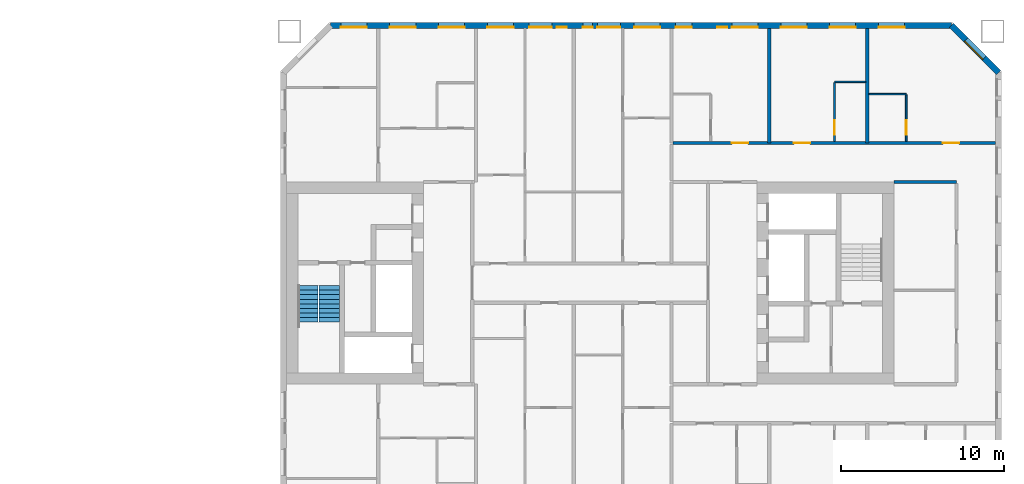
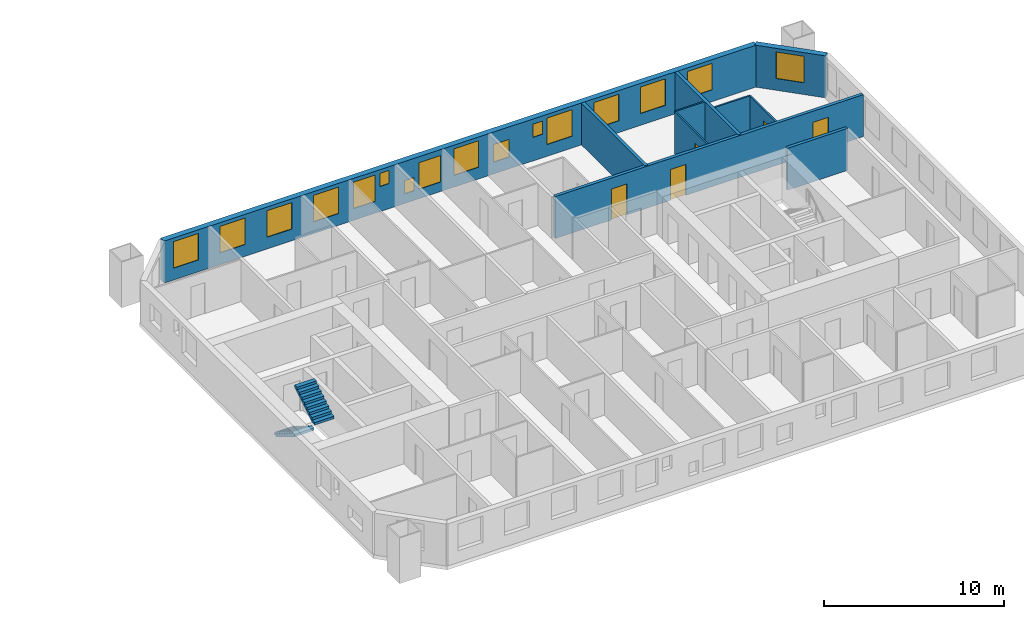
# One storey, part 14 of 17: 16 windows, 10 walls, 5 doors, 2 stair flights, 21 openings, 1 element without a shape of its own.
"""IFC4 building model written with IfcOpenShell, lengths in metres."""

from ifc_helpers import new_model, si_unit, direction, frame, frame_2d, origin, place, context, subcontext, project, spatial, polyline, rectangle, outline, extrude, material, layer, layer_set, type_object, element, fill, aggregate, save


model = new_model("IFC4")

# Units and contexts
model_context = context("Model", 3, precision=1e-05, world=origin(), true_north=direction((0.0, 1.0)))
body_context = subcontext(model_context, "Body", "Model", "MODEL_VIEW")
ifc_project = project(units=[si_unit("LENGTHUNIT", "METRE"), si_unit("AREAUNIT", "SQUARE_METRE"), si_unit("VOLUMEUNIT", "CUBIC_METRE"), si_unit("PLANEANGLEUNIT", "RADIAN"), si_unit("MASSUNIT", "GRAM", prefix="KILO")], contexts=[model_context])

# Site, building, storey
site_placement = place(None, origin())
site = spatial("IfcSite", under=ifc_project, at=site_placement, CompositionType="ELEMENT")
building_placement = place(site_placement, origin())
building = spatial("IfcBuilding", under=site, at=building_placement, Name="Tuart Gate Housing", CompositionType="ELEMENT")
storey_placement = place(building_placement, frame((0.0, 0.0, 84.0)))
storey = spatial("IfcBuildingStorey", under=building, at=storey_placement, Name="L23", CompositionType="ELEMENT", Elevation=84.0)

# Wall, opening, window
ifc_material_1 = material(Name="Brick", Category="masonry")
ifc_layer_1 = layer(ifc_material_1, 0.360107421875)
ifc_layer_set_1 = layer_set([ifc_layer_1], Name="Brick pier and spandrel wall 360")
wall_type_1 = type_object("IfcWallType", Name="Brick pier and spandrel wall 360", PredefinedType="STANDARD", material=ifc_layer_set_1)
wall_1_placement = place(storey_placement, frame((175.070068359375, 82.92529296875, 0.0), z_axis=(0.0, 0.0, 1.0), x_axis=(-0.707106781187, 0.707106781187, 0.0)))
wall_1 = element("IfcWall", 1, at=wall_1_placement, inside=storey, type_object=wall_type_1, Name="External wall B-NE L23", PredefinedType="STANDARD", context=body_context, shape_type="SweptSolid", body=[
    extrude(rectangle(XDim=4.09375, YDim=0.360107421875, at=frame_2d((2.046875, 0.0))), origin(), (0.0, 0.0, 1.0), 2.85009765625),
])
opening_1_placement = place(wall_1_placement, frame((1.2470703125, 0.0, 0.800048828125)))
opening_1 = element("IfcOpeningElement", 2, at=opening_1_placement, cuts=wall_1, Name="Opening W1", PredefinedType="OPENING", context=body_context, shape_type="SweptSolid", body=[
    extrude(rectangle(XDim=1.60009765625, YDim=1.800048828125, at=frame_2d((0.800048828125, 0.89990234375))), frame((0.0, 0.18994140625, 0.0), z_axis=(0.0, -1.0, 0.0), x_axis=(1.0, 0.0, 0.0)), (0.0, 0.0, 1.0), 0.380126953125),
])
ifc_material_2 = material(Name="Aluminium frame with clear glass", Category="aluminium")
window_type_1 = type_object("IfcWindowType", Name="Punched window 1600 x 1800", PartitioningType="SINGLE_PANEL", PredefinedType="WINDOW", material=ifc_material_2)
window_1_placement = place(opening_1_placement, origin())
window_1 = element("IfcWindow", 3, at=window_1_placement, inside=storey, type_object=window_type_1, Name="Window W1", OverallHeight=1.800048828125, OverallWidth=1.60009765625, PartitioningType="SINGLE_PANEL", PredefinedType="WINDOW", context=body_context, shape_type="SweptSolid", body=[
    extrude(rectangle(XDim=1.60009765625, YDim=1.800048828125, at=frame_2d((0.800048828125, 0.89990234375))), frame((0.0, 0.150146484375, 0.0), z_axis=(0.0, -1.0, 0.0), x_axis=(1.0, 0.0, 0.0)), (0.0, 0.0, 1.0), 0.06005859375),
])
fill(opening_1, window_1)

# Wall, openings, windows
wall_2_placement = place(storey_placement, frame((172.17529296875, 85.820068359375, 0.0), z_axis=(0.0, 0.0, 1.0), x_axis=(-1.0, 0.0, 0.0)))
wall_2 = element("IfcWall", 4, at=wall_2_placement, inside=storey, type_object=wall_type_1, Name="External wall B-N L23", PredefinedType="STANDARD", context=body_context, shape_type="SweptSolid", body=[
    extrude(rectangle(XDim=38.100830078125, YDim=0.360107421875, at=frame_2d((19.05029296875, 0.0))), origin(), (0.0, 0.0, 1.0), 2.85009765625),
])
opening_2_placement = place(wall_2_placement, frame((2.87548828125, 0.0, 0.800048828125)))
opening_2 = element("IfcOpeningElement", 5, at=opening_2_placement, cuts=wall_2, Name="Opening W1", PredefinedType="OPENING", context=body_context, shape_type="SweptSolid", body=[
    extrude(rectangle(XDim=1.60009765625, YDim=1.800048828125, at=frame_2d((0.800048828125, 0.89990234375))), frame((0.0, 0.18994140625, 0.0), z_axis=(0.0, -1.0, 0.0), x_axis=(1.0, 0.0, 0.0)), (0.0, 0.0, 1.0), 0.380126953125),
])
opening_3_placement = place(wall_2_placement, frame((5.87548828125, 0.0, 0.800048828125)))
opening_3 = element("IfcOpeningElement", 6, at=opening_3_placement, cuts=wall_2, Name="Opening W1", PredefinedType="OPENING", context=body_context, shape_type="SweptSolid", body=[
    extrude(rectangle(XDim=1.60009765625, YDim=1.800048828125, at=frame_2d((0.800048828125, 0.89990234375))), frame((0.0, 0.18994140625, 0.0), z_axis=(0.0, -1.0, 0.0), x_axis=(1.0, 0.0, 0.0)), (0.0, 0.0, 1.0), 0.380126953125),
])
opening_4_placement = place(wall_2_placement, frame((8.87548828125, 0.0, 0.800048828125)))
opening_4 = element("IfcOpeningElement", 7, at=opening_4_placement, cuts=wall_2, Name="Opening W1", PredefinedType="OPENING", context=body_context, shape_type="SweptSolid", body=[
    extrude(rectangle(XDim=1.60009765625, YDim=1.800048828125, at=frame_2d((0.800048828125, 0.89990234375))), frame((0.0, 0.18994140625, 0.0), z_axis=(0.0, -1.0, 0.0), x_axis=(1.0, 0.0, 0.0)), (0.0, 0.0, 1.0), 0.380126953125),
])
opening_5_placement = place(wall_2_placement, frame((11.87548828125, 0.0, 0.800048828125)))
opening_5 = element("IfcOpeningElement", 8, at=opening_5_placement, cuts=wall_2, Name="Opening W1", PredefinedType="OPENING", context=body_context, shape_type="SweptSolid", body=[
    extrude(rectangle(XDim=1.60009765625, YDim=1.800048828125, at=frame_2d((0.800048828125, 0.89990234375))), frame((0.0, 0.18994140625, 0.0), z_axis=(0.0, -1.0, 0.0), x_axis=(1.0, 0.0, 0.0)), (0.0, 0.0, 1.0), 0.380126953125),
])
opening_6_placement = place(wall_2_placement, frame((13.775390625, 0.0, 1.60009765625)))
opening_6 = element("IfcOpeningElement", 9, at=opening_6_placement, cuts=wall_2, Name="Opening W1W", PredefinedType="OPENING", context=body_context, shape_type="SweptSolid", body=[
    extrude(rectangle(XDim=0.60009765625, YDim=0.89990234375, at=frame_2d((0.300048828125, 0.449951171875))), frame((0.0, 0.18994140625, 0.0), z_axis=(0.0, -1.0, 0.0), x_axis=(1.0, 0.0, 0.0)), (0.0, 0.0, 1.0), 0.380126953125),
])
opening_7_placement = place(wall_2_placement, frame((17.87548828125, 0.0, 0.800048828125)))
opening_7 = element("IfcOpeningElement", 10, at=opening_7_placement, cuts=wall_2, Name="Opening W1", PredefinedType="OPENING", context=body_context, shape_type="SweptSolid", body=[
    extrude(rectangle(XDim=1.60009765625, YDim=1.800048828125, at=frame_2d((0.800048828125, 0.89990234375))), frame((0.0, 0.18994140625, 0.0), z_axis=(0.0, -1.0, 0.0), x_axis=(1.0, 0.0, 0.0)), (0.0, 0.0, 1.0), 0.380126953125),
])
opening_8_placement = place(wall_2_placement, frame((20.325439453125, 0.0, 0.64990234375)))
opening_8 = element("IfcOpeningElement", 11, at=opening_8_placement, cuts=wall_2, Name="Opening W1A", PredefinedType="OPENING", context=body_context, shape_type="SweptSolid", body=[
    extrude(rectangle(XDim=1.39990234375, YDim=1.800048828125, at=frame_2d((0.699951171875, 0.89990234375))), frame((0.0, 0.18994140625, 0.0), z_axis=(0.0, -1.0, 0.0), x_axis=(1.0, 0.0, 0.0)), (0.0, 0.0, 1.0), 0.380126953125),
])
opening_9_placement = place(wall_2_placement, frame((23.62548828125, 0.0, 1.699951171875)))
opening_9 = element("IfcOpeningElement", 12, at=opening_9_placement, cuts=wall_2, Name="Opening W1W", PredefinedType="OPENING", context=body_context, shape_type="SweptSolid", body=[
    extrude(rectangle(XDim=0.60009765625, YDim=0.89990234375, at=frame_2d((0.300048828125, 0.449951171875))), frame((0.0, 0.18994140625, 0.0), z_axis=(0.0, -1.0, 0.0), x_axis=(1.0, 0.0, 0.0)), (0.0, 0.0, 1.0), 0.380126953125),
])
opening_10_placement = place(wall_2_placement, frame((26.87548828125, 0.0, 0.800048828125)))
opening_10 = element("IfcOpeningElement", 13, at=opening_10_placement, cuts=wall_2, Name="Opening W1", PredefinedType="OPENING", context=body_context, shape_type="SweptSolid", body=[
    extrude(rectangle(XDim=1.60009765625, YDim=1.800048828125, at=frame_2d((0.800048828125, 0.89990234375))), frame((0.0, 0.18994140625, 0.0), z_axis=(0.0, -1.0, 0.0), x_axis=(1.0, 0.0, 0.0)), (0.0, 0.0, 1.0), 0.380126953125),
])
opening_11_placement = place(wall_2_placement, frame((29.87548828125, 0.0, 0.800048828125)))
opening_11 = element("IfcOpeningElement", 14, at=opening_11_placement, cuts=wall_2, Name="Opening W1", PredefinedType="OPENING", context=body_context, shape_type="SweptSolid", body=[
    extrude(rectangle(XDim=1.60009765625, YDim=1.800048828125, at=frame_2d((0.800048828125, 0.89990234375))), frame((0.0, 0.18994140625, 0.0), z_axis=(0.0, -1.0, 0.0), x_axis=(1.0, 0.0, 0.0)), (0.0, 0.0, 1.0), 0.380126953125),
])
opening_12_placement = place(wall_2_placement, frame((32.87548828125, 0.0, 0.800048828125)))
opening_12 = element("IfcOpeningElement", 15, at=opening_12_placement, cuts=wall_2, Name="Opening W1", PredefinedType="OPENING", context=body_context, shape_type="SweptSolid", body=[
    extrude(rectangle(XDim=1.60009765625, YDim=1.800048828125, at=frame_2d((0.800048828125, 0.89990234375))), frame((0.0, 0.18994140625, 0.0), z_axis=(0.0, -1.0, 0.0), x_axis=(1.0, 0.0, 0.0)), (0.0, 0.0, 1.0), 0.380126953125),
])
opening_13_placement = place(wall_2_placement, frame((35.87548828125, 0.0, 0.800048828125)))
opening_13 = element("IfcOpeningElement", 16, at=opening_13_placement, cuts=wall_2, Name="Opening W1", PredefinedType="OPENING", context=body_context, shape_type="SweptSolid", body=[
    extrude(rectangle(XDim=1.60009765625, YDim=1.800048828125, at=frame_2d((0.800048828125, 0.89990234375))), frame((0.0, 0.18994140625, 0.0), z_axis=(0.0, -1.0, 0.0), x_axis=(1.0, 0.0, 0.0)), (0.0, 0.0, 1.0), 0.380126953125),
])
opening_14_placement = place(wall_2_placement, frame((15.92529296875, 0.0, 0.800048828125)))
opening_14 = element("IfcOpeningElement", 17, at=opening_14_placement, cuts=wall_2, Name="Opening W1O", PredefinedType="OPENING", context=body_context, shape_type="SweptSolid", body=[
    extrude(rectangle(XDim=1.0, YDim=1.199951171875, at=frame_2d((0.5, 0.60009765625))), frame((0.0, 0.18994140625, 0.0), z_axis=(0.0, -1.0, 0.0), x_axis=(1.0, 0.0, 0.0)), (0.0, 0.0, 1.0), 0.380126953125),
])
opening_15_placement = place(wall_2_placement, frame((22.025390625, 0.0, 0.64990234375)))
opening_15 = element("IfcOpeningElement", 18, at=opening_15_placement, cuts=wall_2, Name="Opening W1W", PredefinedType="OPENING", context=body_context, shape_type="SweptSolid", body=[
    extrude(rectangle(XDim=0.60009765625, YDim=0.89990234375, at=frame_2d((0.300048828125, 0.449951171875))), frame((0.0, 0.18994140625, 0.0), z_axis=(0.0, -1.0, 0.0), x_axis=(1.0, 0.0, 0.0)), (0.0, 0.0, 1.0), 0.380126953125),
])
opening_16_placement = place(wall_2_placement, frame((24.525390625, 0.0, 0.800048828125)))
opening_16 = element("IfcOpeningElement", 19, at=opening_16_placement, cuts=wall_2, Name="Opening W1A", PredefinedType="OPENING", context=body_context, shape_type="SweptSolid", body=[
    extrude(rectangle(XDim=1.39990234375, YDim=1.800048828125, at=frame_2d((0.699951171875, 0.89990234375))), frame((0.0, 0.18994140625, 0.0), z_axis=(0.0, -1.0, 0.0), x_axis=(1.0, 0.0, 0.0)), (0.0, 0.0, 1.0), 0.380126953125),
])
ifc_material_3 = material(Name="Aluminium frame with clear glass", Category="aluminium")
window_type_2 = type_object("IfcWindowType", Name="Punched window 1000 x 1200", PartitioningType="SINGLE_PANEL", PredefinedType="WINDOW", material=ifc_material_3)
window_2_placement = place(opening_14_placement, origin())
window_2 = element("IfcWindow", 20, at=window_2_placement, inside=storey, type_object=window_type_2, Name="Window W1O", OverallHeight=1.199951171875, OverallWidth=1.0, PartitioningType="SINGLE_PANEL", PredefinedType="WINDOW", context=body_context, shape_type="SweptSolid", body=[
    extrude(rectangle(XDim=1.0, YDim=1.199951171875, at=frame_2d((0.5, 0.60009765625))), frame((0.0, 0.150146484375, 0.0), z_axis=(0.0, -1.0, 0.0), x_axis=(1.0, 0.0, 0.0)), (0.0, 0.0, 1.0), 0.06005859375),
])
fill(opening_14, window_2)
ifc_material_4 = material(Name="Aluminium frame with clear glass", Category="aluminium")
window_type_3 = type_object("IfcWindowType", Name="Punched window 1400 x 1800", PartitioningType="SINGLE_PANEL", PredefinedType="WINDOW", material=ifc_material_4)
window_3_placement = place(opening_8_placement, origin())
window_3 = element("IfcWindow", 21, at=window_3_placement, inside=storey, type_object=window_type_3, Name="Window W1A", OverallHeight=1.800048828125, OverallWidth=1.39990234375, PartitioningType="SINGLE_PANEL", PredefinedType="WINDOW", context=body_context, shape_type="SweptSolid", body=[
    extrude(rectangle(XDim=1.39990234375, YDim=1.800048828125, at=frame_2d((0.699951171875, 0.89990234375))), frame((0.0, 0.150146484375, 0.0), z_axis=(0.0, -1.0, 0.0), x_axis=(1.0, 0.0, 0.0)), (0.0, 0.0, 1.0), 0.06005859375),
])
fill(opening_8, window_3)
window_4_placement = place(opening_16_placement, origin())
window_4 = element("IfcWindow", 22, at=window_4_placement, inside=storey, type_object=window_type_3, Name="Window W1A", OverallHeight=1.800048828125, OverallWidth=1.39990234375, PartitioningType="SINGLE_PANEL", PredefinedType="WINDOW", context=body_context, shape_type="SweptSolid", body=[
    extrude(rectangle(XDim=1.39990234375, YDim=1.800048828125, at=frame_2d((0.699951171875, 0.89990234375))), frame((0.0, 0.150146484375, 0.0), z_axis=(0.0, -1.0, 0.0), x_axis=(1.0, 0.0, 0.0)), (0.0, 0.0, 1.0), 0.06005859375),
])
fill(opening_16, window_4)
window_5_placement = place(opening_2_placement, origin())
window_5 = element("IfcWindow", 23, at=window_5_placement, inside=storey, type_object=window_type_1, Name="Window W1", OverallHeight=1.800048828125, OverallWidth=1.60009765625, PartitioningType="SINGLE_PANEL", PredefinedType="WINDOW", context=body_context, shape_type="SweptSolid", body=[
    extrude(rectangle(XDim=1.60009765625, YDim=1.800048828125, at=frame_2d((0.800048828125, 0.89990234375))), frame((0.0, 0.150146484375, 0.0), z_axis=(0.0, -1.0, 0.0), x_axis=(1.0, 0.0, 0.0)), (0.0, 0.0, 1.0), 0.06005859375),
])
fill(opening_2, window_5)
window_6_placement = place(opening_3_placement, origin())
window_6 = element("IfcWindow", 24, at=window_6_placement, inside=storey, type_object=window_type_1, Name="Window W1", OverallHeight=1.800048828125, OverallWidth=1.60009765625, PartitioningType="SINGLE_PANEL", PredefinedType="WINDOW", context=body_context, shape_type="SweptSolid", body=[
    extrude(rectangle(XDim=1.60009765625, YDim=1.800048828125, at=frame_2d((0.800048828125, 0.89990234375))), frame((0.0, 0.150146484375, 0.0), z_axis=(0.0, -1.0, 0.0), x_axis=(1.0, 0.0, 0.0)), (0.0, 0.0, 1.0), 0.06005859375),
])
fill(opening_3, window_6)
window_7_placement = place(opening_4_placement, origin())
window_7 = element("IfcWindow", 25, at=window_7_placement, inside=storey, type_object=window_type_1, Name="Window W1", OverallHeight=1.800048828125, OverallWidth=1.60009765625, PartitioningType="SINGLE_PANEL", PredefinedType="WINDOW", context=body_context, shape_type="SweptSolid", body=[
    extrude(rectangle(XDim=1.60009765625, YDim=1.800048828125, at=frame_2d((0.800048828125, 0.89990234375))), frame((0.0, 0.150146484375, 0.0), z_axis=(0.0, -1.0, 0.0), x_axis=(1.0, 0.0, 0.0)), (0.0, 0.0, 1.0), 0.06005859375),
])
fill(opening_4, window_7)
window_8_placement = place(opening_5_placement, origin())
window_8 = element("IfcWindow", 26, at=window_8_placement, inside=storey, type_object=window_type_1, Name="Window W1", OverallHeight=1.800048828125, OverallWidth=1.60009765625, PartitioningType="SINGLE_PANEL", PredefinedType="WINDOW", context=body_context, shape_type="SweptSolid", body=[
    extrude(rectangle(XDim=1.60009765625, YDim=1.800048828125, at=frame_2d((0.800048828125, 0.89990234375))), frame((0.0, 0.150146484375, 0.0), z_axis=(0.0, -1.0, 0.0), x_axis=(1.0, 0.0, 0.0)), (0.0, 0.0, 1.0), 0.06005859375),
])
fill(opening_5, window_8)
window_9_placement = place(opening_7_placement, origin())
window_9 = element("IfcWindow", 27, at=window_9_placement, inside=storey, type_object=window_type_1, Name="Window W1", OverallHeight=1.800048828125, OverallWidth=1.60009765625, PartitioningType="SINGLE_PANEL", PredefinedType="WINDOW", context=body_context, shape_type="SweptSolid", body=[
    extrude(rectangle(XDim=1.60009765625, YDim=1.800048828125, at=frame_2d((0.800048828125, 0.89990234375))), frame((0.0, 0.150146484375, 0.0), z_axis=(0.0, -1.0, 0.0), x_axis=(1.0, 0.0, 0.0)), (0.0, 0.0, 1.0), 0.06005859375),
])
fill(opening_7, window_9)
window_10_placement = place(opening_10_placement, origin())
window_10 = element("IfcWindow", 28, at=window_10_placement, inside=storey, type_object=window_type_1, Name="Window W1", OverallHeight=1.800048828125, OverallWidth=1.60009765625, PartitioningType="SINGLE_PANEL", PredefinedType="WINDOW", context=body_context, shape_type="SweptSolid", body=[
    extrude(rectangle(XDim=1.60009765625, YDim=1.800048828125, at=frame_2d((0.800048828125, 0.89990234375))), frame((0.0, 0.150146484375, 0.0), z_axis=(0.0, -1.0, 0.0), x_axis=(1.0, 0.0, 0.0)), (0.0, 0.0, 1.0), 0.06005859375),
])
fill(opening_10, window_10)
window_11_placement = place(opening_11_placement, origin())
window_11 = element("IfcWindow", 29, at=window_11_placement, inside=storey, type_object=window_type_1, Name="Window W1", OverallHeight=1.800048828125, OverallWidth=1.60009765625, PartitioningType="SINGLE_PANEL", PredefinedType="WINDOW", context=body_context, shape_type="SweptSolid", body=[
    extrude(rectangle(XDim=1.60009765625, YDim=1.800048828125, at=frame_2d((0.800048828125, 0.89990234375))), frame((0.0, 0.150146484375, 0.0), z_axis=(0.0, -1.0, 0.0), x_axis=(1.0, 0.0, 0.0)), (0.0, 0.0, 1.0), 0.06005859375),
])
fill(opening_11, window_11)
window_12_placement = place(opening_12_placement, origin())
window_12 = element("IfcWindow", 30, at=window_12_placement, inside=storey, type_object=window_type_1, Name="Window W1", OverallHeight=1.800048828125, OverallWidth=1.60009765625, PartitioningType="SINGLE_PANEL", PredefinedType="WINDOW", context=body_context, shape_type="SweptSolid", body=[
    extrude(rectangle(XDim=1.60009765625, YDim=1.800048828125, at=frame_2d((0.800048828125, 0.89990234375))), frame((0.0, 0.150146484375, 0.0), z_axis=(0.0, -1.0, 0.0), x_axis=(1.0, 0.0, 0.0)), (0.0, 0.0, 1.0), 0.06005859375),
])
fill(opening_12, window_12)
window_13_placement = place(opening_13_placement, origin())
window_13 = element("IfcWindow", 31, at=window_13_placement, inside=storey, type_object=window_type_1, Name="Window W1", OverallHeight=1.800048828125, OverallWidth=1.60009765625, PartitioningType="SINGLE_PANEL", PredefinedType="WINDOW", context=body_context, shape_type="SweptSolid", body=[
    extrude(rectangle(XDim=1.60009765625, YDim=1.800048828125, at=frame_2d((0.800048828125, 0.89990234375))), frame((0.0, 0.150146484375, 0.0), z_axis=(0.0, -1.0, 0.0), x_axis=(1.0, 0.0, 0.0)), (0.0, 0.0, 1.0), 0.06005859375),
])
fill(opening_13, window_13)
ifc_material_5 = material(Name="Aluminium frame with clear glass", Category="aluminium")
window_type_4 = type_object("IfcWindowType", Name="Punched window 600 x 900", PartitioningType="SINGLE_PANEL", PredefinedType="WINDOW", material=ifc_material_5)
window_14_placement = place(opening_6_placement, origin())
window_14 = element("IfcWindow", 32, at=window_14_placement, inside=storey, type_object=window_type_4, Name="Window W1W", OverallHeight=0.89990234375, OverallWidth=0.60009765625, PartitioningType="SINGLE_PANEL", PredefinedType="WINDOW", context=body_context, shape_type="SweptSolid", body=[
    extrude(rectangle(XDim=0.60009765625, YDim=0.89990234375, at=frame_2d((0.300048828125, 0.449951171875))), frame((0.0, 0.150146484375, 0.0), z_axis=(0.0, -1.0, 0.0), x_axis=(1.0, 0.0, 0.0)), (0.0, 0.0, 1.0), 0.06005859375),
])
fill(opening_6, window_14)
window_15_placement = place(opening_9_placement, origin())
window_15 = element("IfcWindow", 33, at=window_15_placement, inside=storey, type_object=window_type_4, Name="Window W1W", OverallHeight=0.89990234375, OverallWidth=0.60009765625, PartitioningType="SINGLE_PANEL", PredefinedType="WINDOW", context=body_context, shape_type="SweptSolid", body=[
    extrude(rectangle(XDim=0.60009765625, YDim=0.89990234375, at=frame_2d((0.300048828125, 0.449951171875))), frame((0.0, 0.150146484375, 0.0), z_axis=(0.0, -1.0, 0.0), x_axis=(1.0, 0.0, 0.0)), (0.0, 0.0, 1.0), 0.06005859375),
])
fill(opening_9, window_15)
window_16_placement = place(opening_15_placement, origin())
window_16 = element("IfcWindow", 34, at=window_16_placement, inside=storey, type_object=window_type_4, Name="Window W1W", OverallHeight=0.89990234375, OverallWidth=0.60009765625, PartitioningType="SINGLE_PANEL", PredefinedType="WINDOW", context=body_context, shape_type="SweptSolid", body=[
    extrude(rectangle(XDim=0.60009765625, YDim=0.89990234375, at=frame_2d((0.300048828125, 0.449951171875))), frame((0.0, 0.150146484375, 0.0), z_axis=(0.0, -1.0, 0.0), x_axis=(1.0, 0.0, 0.0)), (0.0, 0.0, 1.0), 0.06005859375),
])
fill(opening_15, window_16)

# Wall
ifc_material_6 = material(Name="Concrete masonry 15 MPa", Category="masonry")
ifc_layer_2 = layer(ifc_material_6, 0.199951171875)
ifc_layer_set_2 = layer_set([ifc_layer_2], Name="Corridor wall masonry 200")
wall_type_2 = type_object("IfcWallType", Name="Corridor wall masonry 200", PredefinedType="PARTITIONING", material=ifc_layer_set_2)
wall_3_placement = place(storey_placement, frame((168.639892578125, 76.199951171875, 0.0), z_axis=(0.0, 0.0, 1.0), x_axis=(1.0, 0.0, 0.0)))
element("IfcWall", 35, at=wall_3_placement, inside=storey, type_object=wall_type_2, Name="Corridor wall masonry 200", PredefinedType="PARTITIONING", context=body_context, shape_type="SweptSolid", body=[
    extrude(rectangle(XDim=3.85009765625, YDim=0.199951171875, at=frame_2d((1.925048828125, 0.0))), origin(), (0.0, 0.0, 1.0), 2.85009765625),
])

# Wall, openings, doors
wall_4_placement = place(storey_placement, frame((155.10009765625, 78.60009765625, 0.0), z_axis=(0.0, 0.0, 1.0), x_axis=(1.0, 0.0, 0.0)))
wall_4 = element("IfcWall", 36, at=wall_4_placement, inside=storey, type_object=wall_type_2, Name="Corridor wall masonry 200", PredefinedType="PARTITIONING", context=body_context, shape_type="SweptSolid", body=[
    extrude(rectangle(XDim=19.789794921875, YDim=0.199951171875, at=frame_2d((9.89501953125, 0.0))), origin(), (0.0, 0.0, 1.0), 2.85009765625),
])
opening_17_placement = place(wall_4_placement, frame((3.60009765625, 0.0, 0.0)))
opening_17 = element("IfcOpeningElement", 37, at=opening_17_placement, cuts=wall_4, Name="Opening D1021", PredefinedType="OPENING", context=body_context, shape_type="SweptSolid", body=[
    extrude(rectangle(XDim=1.0, YDim=2.10009765625, at=frame_2d((0.5, 1.050048828125))), frame((0.0, 0.10986328125, 0.0), z_axis=(0.0, -1.0, 0.0), x_axis=(1.0, 0.0, 0.0)), (0.0, 0.0, 1.0), 0.219970703125),
])
opening_18_placement = place(wall_4_placement, frame((7.39990234375, 0.0, 0.0)))
opening_18 = element("IfcOpeningElement", 38, at=opening_18_placement, cuts=wall_4, Name="Opening D1022", PredefinedType="OPENING", context=body_context, shape_type="SweptSolid", body=[
    extrude(rectangle(XDim=1.0, YDim=2.10009765625, at=frame_2d((0.5, 1.050048828125))), frame((0.0, 0.10986328125, 0.0), z_axis=(0.0, -1.0, 0.0), x_axis=(1.0, 0.0, 0.0)), (0.0, 0.0, 1.0), 0.219970703125),
])
opening_19_placement = place(wall_4_placement, frame((16.544921875, 0.0, 0.0)))
opening_19 = element("IfcOpeningElement", 39, at=opening_19_placement, cuts=wall_4, Name="Opening D1023", PredefinedType="OPENING", context=body_context, shape_type="SweptSolid", body=[
    extrude(rectangle(XDim=1.0, YDim=2.10009765625, at=frame_2d((0.5, 1.050048828125))), frame((0.0, 0.10986328125, 0.0), z_axis=(0.0, -1.0, 0.0), x_axis=(1.0, 0.0, 0.0)), (0.0, 0.0, 1.0), 0.219970703125),
])
ifc_material_7 = material(Name="Timber door leaf in steel frame", Category="steel")
door_type_1 = type_object("IfcDoorType", Name="Flat entrance door 1000", OperationType="SINGLE_SWING_LEFT", PredefinedType="DOOR", material=ifc_material_7)
door_1_placement = place(opening_17_placement, origin())
door_1 = element("IfcDoor", 40, at=door_1_placement, inside=storey, type_object=door_type_1, Name="Flat entrance door", OperationType="SINGLE_SWING_LEFT", OverallHeight=2.10009765625, OverallWidth=1.0, PredefinedType="DOOR", context=body_context, shape_type="SweptSolid", body=[
    extrude(rectangle(XDim=1.0, YDim=2.10009765625, at=frame_2d((0.5, 1.050048828125))), frame((0.0, 0.02490234375, 0.0), z_axis=(0.0, -1.0, 0.0), x_axis=(1.0, 0.0, 0.0)), (0.0, 0.0, 1.0), 0.050048828125),
])
fill(opening_17, door_1)
door_2_placement = place(opening_18_placement, origin())
door_2 = element("IfcDoor", 41, at=door_2_placement, inside=storey, type_object=door_type_1, Name="Flat entrance door", OperationType="SINGLE_SWING_LEFT", OverallHeight=2.10009765625, OverallWidth=1.0, PredefinedType="DOOR", context=body_context, shape_type="SweptSolid", body=[
    extrude(rectangle(XDim=1.0, YDim=2.10009765625, at=frame_2d((0.5, 1.050048828125))), frame((0.0, 0.02490234375, 0.0), z_axis=(0.0, -1.0, 0.0), x_axis=(1.0, 0.0, 0.0)), (0.0, 0.0, 1.0), 0.050048828125),
])
fill(opening_18, door_2)
door_3_placement = place(opening_19_placement, origin())
door_3 = element("IfcDoor", 42, at=door_3_placement, inside=storey, type_object=door_type_1, Name="Flat entrance door", OperationType="SINGLE_SWING_LEFT", OverallHeight=2.10009765625, OverallWidth=1.0, PredefinedType="DOOR", context=body_context, shape_type="SweptSolid", body=[
    extrude(rectangle(XDim=1.0, YDim=2.10009765625, at=frame_2d((0.5, 1.050048828125))), frame((0.0, 0.02490234375, 0.0), z_axis=(0.0, -1.0, 0.0), x_axis=(1.0, 0.0, 0.0)), (0.0, 0.0, 1.0), 0.050048828125),
])
fill(opening_19, door_3)

# Walls
ifc_material_8 = material(Name="Gypsum board on steel studs", Category="steel")
ifc_layer_3 = layer(ifc_material_8, 0.10009765625)
ifc_layer_set_3 = layer_set([ifc_layer_3], Name="Partition 100")
wall_type_3 = type_object("IfcWallType", Name="Partition 100", PredefinedType="PARTITIONING", material=ifc_layer_set_3)
wall_5_placement = place(storey_placement, frame((167.10009765625, 81.60009765625, 0.0), z_axis=(0.0, 0.0, 1.0), x_axis=(1.0, 0.0, 0.0)))
element("IfcWall", 43, at=wall_5_placement, inside=storey, type_object=wall_type_3, Name="Partition 100", PredefinedType="PARTITIONING", context=body_context, shape_type="SweptSolid", body=[
    extrude(rectangle(XDim=2.2998046875, YDim=0.10009765625, at=frame_2d((1.14990234375, 0.0))), origin(), (0.0, 0.0, 1.0), 2.85009765625),
])
wall_6_placement = place(storey_placement, frame((165.0, 82.35009765625, 0.0), z_axis=(0.0, 0.0, 1.0), x_axis=(1.0, 0.0, 0.0)))
element("IfcWall", 44, at=wall_6_placement, inside=storey, type_object=wall_type_3, Name="Partition 100", PredefinedType="PARTITIONING", context=body_context, shape_type="SweptSolid", body=[
    extrude(rectangle(XDim=1.89990234375, YDim=0.10009765625, at=frame_2d((0.949951171875, 0.0))), origin(), (0.0, 0.0, 1.0), 2.85009765625),
])

# Wall, opening, door
wall_7_placement = place(storey_placement, frame((165.0, 78.699951171875, 0.0), z_axis=(0.0, 0.0, 1.0), x_axis=(0.0, 1.0, 0.0)))
wall_7 = element("IfcWall", 45, at=wall_7_placement, inside=storey, type_object=wall_type_3, Name="Partition 100", PredefinedType="PARTITIONING", context=body_context, shape_type="SweptSolid", body=[
    extrude(rectangle(XDim=3.60009765625, YDim=0.10009765625, at=frame_2d((1.800048828125, 0.0))), origin(), (0.0, 0.0, 1.0), 2.85009765625),
])
opening_20_placement = place(wall_7_placement, frame((0.39990234375, 0.0, 0.0)))
opening_20 = element("IfcOpeningElement", 46, at=opening_20_placement, cuts=wall_7, Name="Opening D1015", PredefinedType="OPENING", context=body_context, shape_type="SweptSolid", body=[
    extrude(rectangle(XDim=0.89990234375, YDim=2.10009765625, at=frame_2d((0.449951171875, 1.050048828125))), frame((0.0, 0.06005859375, 0.0), z_axis=(0.0, -1.0, 0.0), x_axis=(1.0, 0.0, 0.0)), (0.0, 0.0, 1.0), 0.1201171875),
])
ifc_material_9 = material(Name="Timber door leaf in steel frame", Category="steel")
door_type_2 = type_object("IfcDoorType", Name="Bathroom door 900 RH", OperationType="SINGLE_SWING_RIGHT", PredefinedType="DOOR", material=ifc_material_9)
door_4_placement = place(opening_20_placement, frame((0.89990234375, 0.0, 0.0), z_axis=(0.0, 0.0, 1.0), x_axis=(-1.0, 0.0, 0.0)))
door_4 = element("IfcDoor", 47, at=door_4_placement, inside=storey, type_object=door_type_2, Name="Bathroom door", OperationType="SINGLE_SWING_RIGHT", OverallHeight=2.10009765625, OverallWidth=0.89990234375, PredefinedType="DOOR", context=body_context, shape_type="SweptSolid", body=[
    extrude(rectangle(XDim=0.89990234375, YDim=2.10009765625, at=frame_2d((0.449951171875, 1.050048828125))), frame((0.0, 0.025146484375, 0.0), z_axis=(0.0, -1.0, 0.0), x_axis=(1.0, 0.0, 0.0)), (0.0, 0.0, 1.0), 0.050048828125),
])
fill(opening_20, door_4)

wall_8_placement = place(storey_placement, frame((169.39990234375, 78.699951171875, 0.0), z_axis=(0.0, 0.0, 1.0), x_axis=(0.0, 1.0, 0.0)))
wall_8 = element("IfcWall", 48, at=wall_8_placement, inside=storey, type_object=wall_type_3, Name="Partition 100", PredefinedType="PARTITIONING", context=body_context, shape_type="SweptSolid", body=[
    extrude(rectangle(XDim=2.85009765625, YDim=0.10009765625, at=frame_2d((1.425048828125, 0.0))), origin(), (0.0, 0.0, 1.0), 2.85009765625),
])
opening_21_placement = place(wall_8_placement, frame((0.39990234375, 0.0, 0.0)))
opening_21 = element("IfcOpeningElement", 49, at=opening_21_placement, cuts=wall_8, Name="Opening D1018", PredefinedType="OPENING", context=body_context, shape_type="SweptSolid", body=[
    extrude(rectangle(XDim=0.89990234375, YDim=2.10009765625, at=frame_2d((0.449951171875, 1.050048828125))), frame((0.0, 0.06005859375, 0.0), z_axis=(0.0, -1.0, 0.0), x_axis=(1.0, 0.0, 0.0)), (0.0, 0.0, 1.0), 0.1201171875),
])
ifc_material_10 = material(Name="Timber door leaf in steel frame", Category="steel")
door_type_3 = type_object("IfcDoorType", Name="Bathroom door 900", OperationType="SINGLE_SWING_LEFT", PredefinedType="DOOR", material=ifc_material_10)
door_5_placement = place(opening_21_placement, origin())
door_5 = element("IfcDoor", 50, at=door_5_placement, inside=storey, type_object=door_type_3, Name="Bathroom door", OperationType="SINGLE_SWING_LEFT", OverallHeight=2.10009765625, OverallWidth=0.89990234375, PredefinedType="DOOR", context=body_context, shape_type="SweptSolid", body=[
    extrude(rectangle(XDim=0.89990234375, YDim=2.10009765625, at=frame_2d((0.449951171875, 1.050048828125))), frame((0.0, 0.02490234375, 0.0), z_axis=(0.0, -1.0, 0.0), x_axis=(1.0, 0.0, 0.0)), (0.0, 0.0, 1.0), 0.050048828125),
])
fill(opening_21, door_5)

# Walls
ifc_material_11 = material(Name="Concrete C40", Category="concrete")
ifc_layer_4 = layer(ifc_material_11, 0.199951171875)
ifc_layer_set_4 = layer_set([ifc_layer_4], Name="Party wall concrete C40 200")
wall_type_4 = type_object("IfcWallType", Name="Party wall concrete C40 200", PredefinedType="SOLIDWALL", material=ifc_layer_set_4)
for number, where, z_axis, x_axis, name in (
    (51, (161.0, 78.60009765625, 0.0), (0.0, 0.0, 1.0), (0.0, 1.0, 0.0), "Party wall concrete C40 200"),
    (52, (167.0, 78.60009765625, 0.0), (0.0, 0.0, 1.0), (0.0, 1.0, 0.0), "Party wall concrete C40 200"),
):
    element("IfcWall", number, at=place(storey_placement, frame(where, z_axis=z_axis, x_axis=x_axis)), inside=storey, type_object=wall_type_4, Name=name, PredefinedType="SOLIDWALL", context=body_context, shape_type="SweptSolid", body=[
        extrude(rectangle(XDim=7.039794921875, YDim=0.199951171875, at=frame_2d((3.52001953125, 0.0))), origin(), (0.0, 0.0, 1.0), 2.85009765625),
    ])

# Stair, stair flights
ifc_material_12 = material(Name="Concrete C40", Category="concrete")
stair_type = type_object("IfcStairType", Name="Core stair 1250", PredefinedType="HALF_TURN_STAIR", material=ifc_material_12)
stair_placement = place(storey_placement, origin())
stair = element("IfcStair", 53, at=stair_placement, inside=storey, type_object=stair_type, Name="Stair SB1", PredefinedType="HALF_TURN_STAIR")
ifc_material_13 = material(Name="Concrete C40", Category="concrete")
stair_flight_type = type_object("IfcStairFlightType", Name="Stair flight 1250, 9 risers 172 x 280", PredefinedType="STRAIGHT", material=ifc_material_13)
stair_flight_1_placement = place(storey_placement, frame((132.68505859375, 69.85009765625, 0.0), z_axis=(0.0, 0.0, 1.0), x_axis=(0.0, -1.0, 0.0)))
stair_flight_1 = element("IfcStairFlight", 54, at=stair_flight_1_placement, type_object=stair_flight_type, Name="SB1 flight 1", NumberOfRisers=9, NumberOfTreads=8, PredefinedType="STRAIGHT", RiserHeight=0.172222222, TreadLength=0.28, context=body_context, shape_type="SweptSolid", body=[
    extrude(outline(polyline([(0.0, 0.0), (0.0, 0.172119140625), (0.280029296875, 0.172119140625), (0.280029296875, 0.344482421875), (0.56005859375, 0.344482421875), (0.56005859375, 0.5166015625), (0.840087890625, 0.5166015625), (0.840087890625, 0.68896484375), (1.1201171875, 0.68896484375), (1.1201171875, 0.861083984375), (1.39990234375, 0.861083984375), (1.39990234375, 1.033447265625), (1.679931640625, 1.033447265625), (1.679931640625, 1.20556640625), (1.9599609375, 1.20556640625), (1.9599609375, 1.377685546875), (2.239990234375, 1.377685546875), (2.239990234375, 1.550048828125), (2.239990234375, 1.201904296875), (0.2861328125, 0.0), (0.0, 0.0)])), frame((0.0, 0.625, 0.0), z_axis=(0.0, -1.0, 0.0), x_axis=(1.0, 0.0, 0.0)), (0.0, 0.0, 1.0), 1.25),
])
stair_flight_2_placement = place(storey_placement, frame((133.985107421875, 67.610107421875, 1.550048828125), z_axis=(0.0, 0.0, 1.0), x_axis=(0.0, 1.0, 0.0)))
stair_flight_2 = element("IfcStairFlight", 55, at=stair_flight_2_placement, type_object=stair_flight_type, Name="SB1 flight 2", NumberOfRisers=9, NumberOfTreads=8, PredefinedType="STRAIGHT", RiserHeight=0.172222222, TreadLength=0.28, context=body_context, shape_type="SweptSolid", body=[
    extrude(outline(polyline([(0.0, 0.0), (0.0, 0.172119140625), (0.280029296875, 0.172119140625), (0.280029296875, 0.344482421875), (0.56005859375, 0.344482421875), (0.56005859375, 0.5166015625), (0.840087890625, 0.5166015625), (0.840087890625, 0.68896484375), (1.1201171875, 0.68896484375), (1.1201171875, 0.861083984375), (1.39990234375, 0.861083984375), (1.39990234375, 1.033447265625), (1.679931640625, 1.033447265625), (1.679931640625, 1.20556640625), (1.9599609375, 1.20556640625), (1.9599609375, 1.377685546875), (2.239990234375, 1.377685546875), (2.239990234375, 1.550048828125), (2.239990234375, 1.201904296875), (0.2861328125, 0.0), (0.0, 0.0)])), frame((0.0, 0.625, 0.0), z_axis=(0.0, -1.0, 0.0), x_axis=(1.0, 0.0, 0.0)), (0.0, 0.0, 1.0), 1.25),
])
aggregate(stair, [stair_flight_1, stair_flight_2])

save(model, "model.ifc")
